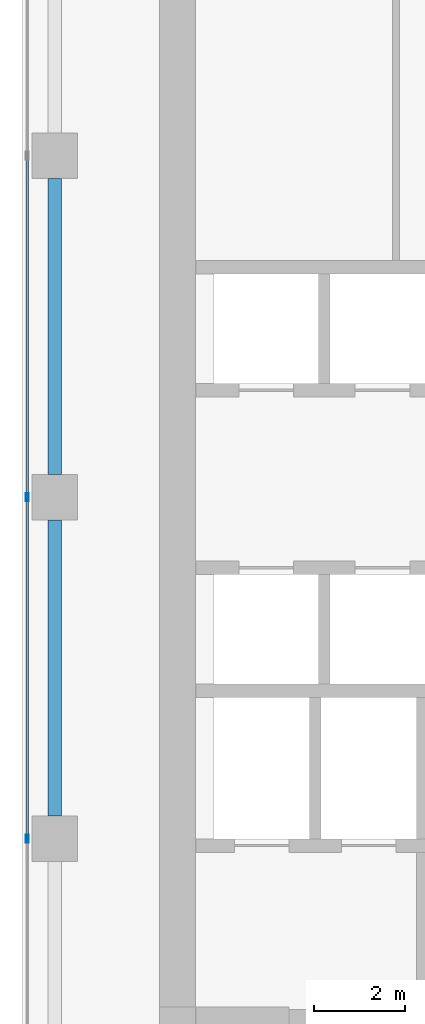
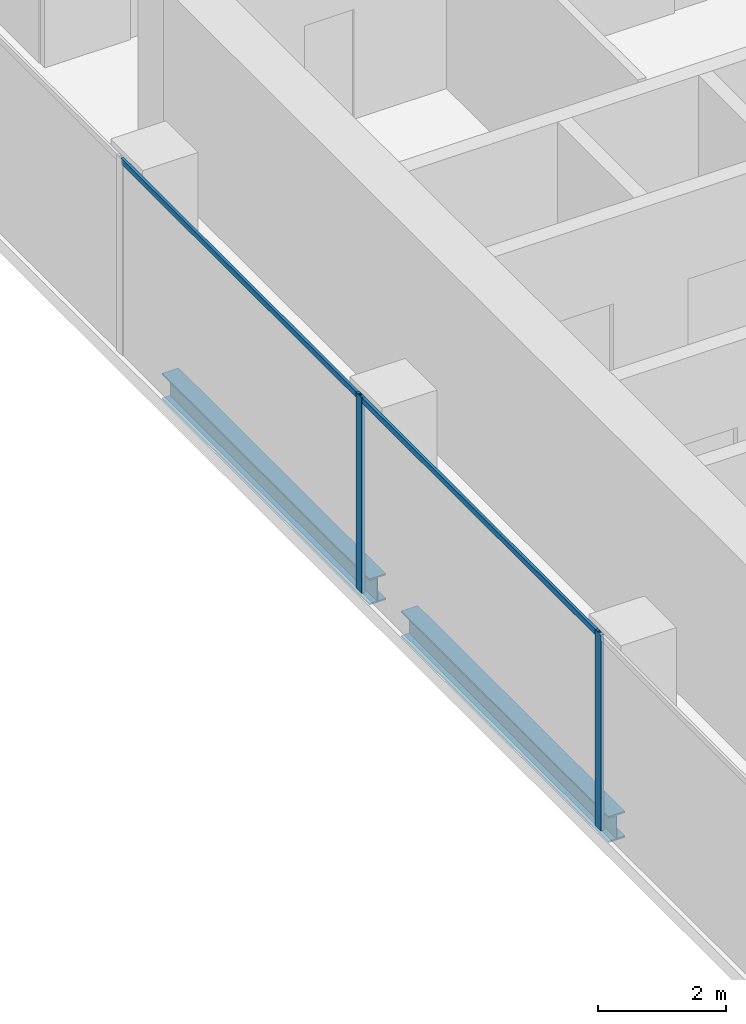
# One storey, part 8 of 40: 4 members, 2 beams, 1 element without a shape of its own.
"""IFC4 building model written with IfcOpenShell, lengths in metres."""

from ifc_helpers import new_model, si_unit, direction, frame, origin, origin_2d, place, context, subcontext, project, spatial, hollow_rectangle, i_section, extrude, source, transform, mapped, material, material_profile, profile_set, type_object, element, aggregate, save


model = new_model("IFC4")

# Units and contexts
model_context = context("Model", 3, precision=1e-05, world=origin(), true_north=direction((0.0, 1.0)))
body_context = subcontext(model_context, "Body", "Model", "MODEL_VIEW")
ifc_project = project(units=[si_unit("LENGTHUNIT", "METRE"), si_unit("AREAUNIT", "SQUARE_METRE"), si_unit("VOLUMEUNIT", "CUBIC_METRE"), si_unit("PLANEANGLEUNIT", "RADIAN"), si_unit("MASSUNIT", "GRAM", prefix="KILO")], contexts=[model_context])

# Site, building, storey
site_placement = place(None, origin())
site = spatial("IfcSite", under=ifc_project, at=site_placement, CompositionType="ELEMENT")
building_placement = place(site_placement, origin())
building = spatial("IfcBuilding", under=site, at=building_placement, Name="Khomas Fold Tower", CompositionType="ELEMENT")
storey_placement = place(building_placement, frame((0.0, 0.0, 192.699951171875)))
storey = spatial("IfcBuildingStorey", under=building, at=storey_placement, Name="L42", CompositionType="ELEMENT", Elevation=192.699951171875)

# Beams
ifc_material_1 = material(Name="Steel S355", Category="steel")
ifc_material_profile_1 = material_profile(ifc_material_1, i_section(OverallWidth=0.300048828125, OverallDepth=0.5, WebThickness=0.014404296875, FlangeThickness=0.028076171875, at=origin_2d()), Name="HE 500 B")
ifc_profile_set_1 = profile_set([ifc_material_profile_1], Name="Steel S355")
beam_type = type_object("IfcBeamType", Name="HE 500 B spandrel SB3", PredefinedType="SPANDREL", material=ifc_profile_set_1)
shared_shape_1 = source(origin(), body_context, "Body", "SweptSolid", [
    extrude(i_section(OverallWidth=0.300048828125, OverallDepth=0.5, WebThickness=0.014404296875, FlangeThickness=0.028076171875, at=origin_2d()), origin(), (0.0, 0.0, 1.0), 6.5),
])
for number, where, z_axis, x_axis, name in (
    (1, (3.699951171875, 27.5, -0.5), (0.0, 1.0, 0.0), (-1.0, 0.0, 0.0), "SB3"),
    (2, (3.699951171875, 20.0, -0.5), (0.0, 1.0, 0.0), (-1.0, 0.0, 0.0), "SB3"),
):
    element("IfcBeam", number, at=place(storey_placement, frame(where, z_axis=z_axis, x_axis=x_axis)), inside=storey, type_object=beam_type, Name=name, PredefinedType="SPANDREL", context=body_context, shape_type="MappedRepresentation", body=[
        mapped(shared_shape_1, transform((0.0, 0.0, 0.0))),
    ])

# Curtain wall, members
ifc_material_2 = material(Name="Aluminium framed double glazing", Category="aluminium")
curtain_wall_type = type_object("IfcCurtainWallType", Name="SK-Unitised clear-glass wall, office floors CW2", PredefinedType="NOTDEFINED", material=ifc_material_2)
curtain_wall_placement = place(storey_placement, origin())
curtain_wall = element("IfcCurtainWall", 3, at=curtain_wall_placement, inside=storey, type_object=curtain_wall_type, Name="CW2 run L42 09-0", PredefinedType="NOTDEFINED")
ifc_material_3 = material(Name="Aluminium", Category="aluminium")
ifc_material_profile_2 = material_profile(ifc_material_3, hollow_rectangle(XDim=0.06005859375, YDim=0.179931640625, WallThickness=0.00390625, at=origin_2d()), Name="SK-Unitised clear-glass wall, office floors mullion CW2-M")
ifc_profile_set_2 = profile_set([ifc_material_profile_2], Name="Aluminium")
member_type_1 = type_object("IfcMemberType", Name="SK-Unitised clear-glass wall, office floors mullion CW2-M", PredefinedType="MULLION", material=ifc_profile_set_2)
shared_shape_2 = source(origin(), body_context, "Body", "SweptSolid", [
    extrude(hollow_rectangle(XDim=0.06005859375, YDim=0.179931640625, WallThickness=0.00390625, at=origin_2d()), origin(), (0.0, 0.0, 1.0), 3.75),
])
member_1_placement = place(storey_placement, frame((3.10009765625, 27.0, 0.0), z_axis=(0.0, 0.0, 1.0), x_axis=(1.0, 0.0, 0.0)))
member_1 = element("IfcMember", 4, at=member_1_placement, type_object=member_type_1, Name="CW2 mullion 5", PredefinedType="MULLION", context=body_context, shape_type="MappedRepresentation", body=[
    mapped(shared_shape_2, transform((0.0, 0.0, 0.0))),
])
member_2_placement = place(storey_placement, frame((3.10009765625, 19.5, 0.0), z_axis=(0.0, 0.0, 1.0), x_axis=(1.0, 0.0, 0.0)))
member_2 = element("IfcMember", 5, at=member_2_placement, type_object=member_type_1, Name="CW2 mullion 6", PredefinedType="MULLION", context=body_context, shape_type="MappedRepresentation", body=[
    mapped(shared_shape_2, transform((0.0, 0.0, 0.0))),
])
ifc_material_4 = material(Name="Aluminium", Category="aluminium")
ifc_material_profile_3 = material_profile(ifc_material_4, hollow_rectangle(XDim=0.050048828125, YDim=0.110107421875, WallThickness=0.00390625, at=origin_2d()), Name="SK-Unitised clear-glass wall, office floors transom CW2-T")
ifc_profile_set_3 = profile_set([ifc_material_profile_3], Name="Aluminium")
member_type_2 = type_object("IfcMemberType", Name="SK-Unitised clear-glass wall, office floors transom CW2-T", PredefinedType="USERDEFINED", material=ifc_profile_set_3)
shared_shape_3 = source(origin(), body_context, "Body", "SweptSolid", [
    extrude(hollow_rectangle(XDim=0.050048828125, YDim=0.110107421875, WallThickness=0.00390625, at=origin_2d()), origin(), (0.0, 0.0, 1.0), 7.43994140625),
])
member_3_placement = place(storey_placement, frame((3.10009765625, 34.469970703125, 3.695068359375), z_axis=(0.0, -1.0, 0.0), x_axis=(1.0, 0.0, 0.0)))
member_3 = element("IfcMember", 6, at=member_3_placement, type_object=member_type_2, Name="CW2 transom 4", ObjectType="TRANSOM", PredefinedType="USERDEFINED", context=body_context, shape_type="MappedRepresentation", body=[
    mapped(shared_shape_3, transform((0.0, 0.0, 0.0))),
])
member_4_placement = place(storey_placement, frame((3.10009765625, 26.969970703125, 3.695068359375), z_axis=(0.0, -1.0, 0.0), x_axis=(1.0, 0.0, 0.0)))
member_4 = element("IfcMember", 7, at=member_4_placement, type_object=member_type_2, Name="CW2 transom 5", ObjectType="TRANSOM", PredefinedType="USERDEFINED", context=body_context, shape_type="MappedRepresentation", body=[
    mapped(shared_shape_3, transform((0.0, 0.0, 0.0))),
])
aggregate(curtain_wall, [member_1, member_2, member_3, member_4])

save(model, "model.ifc")
